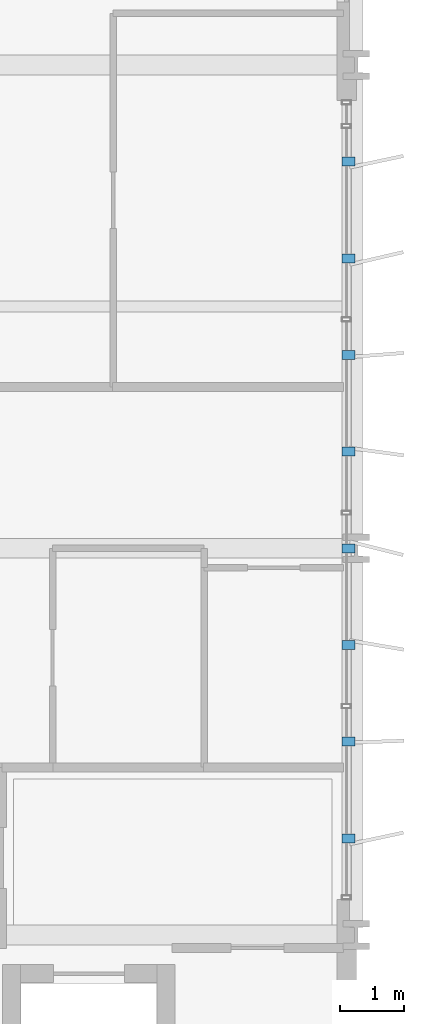
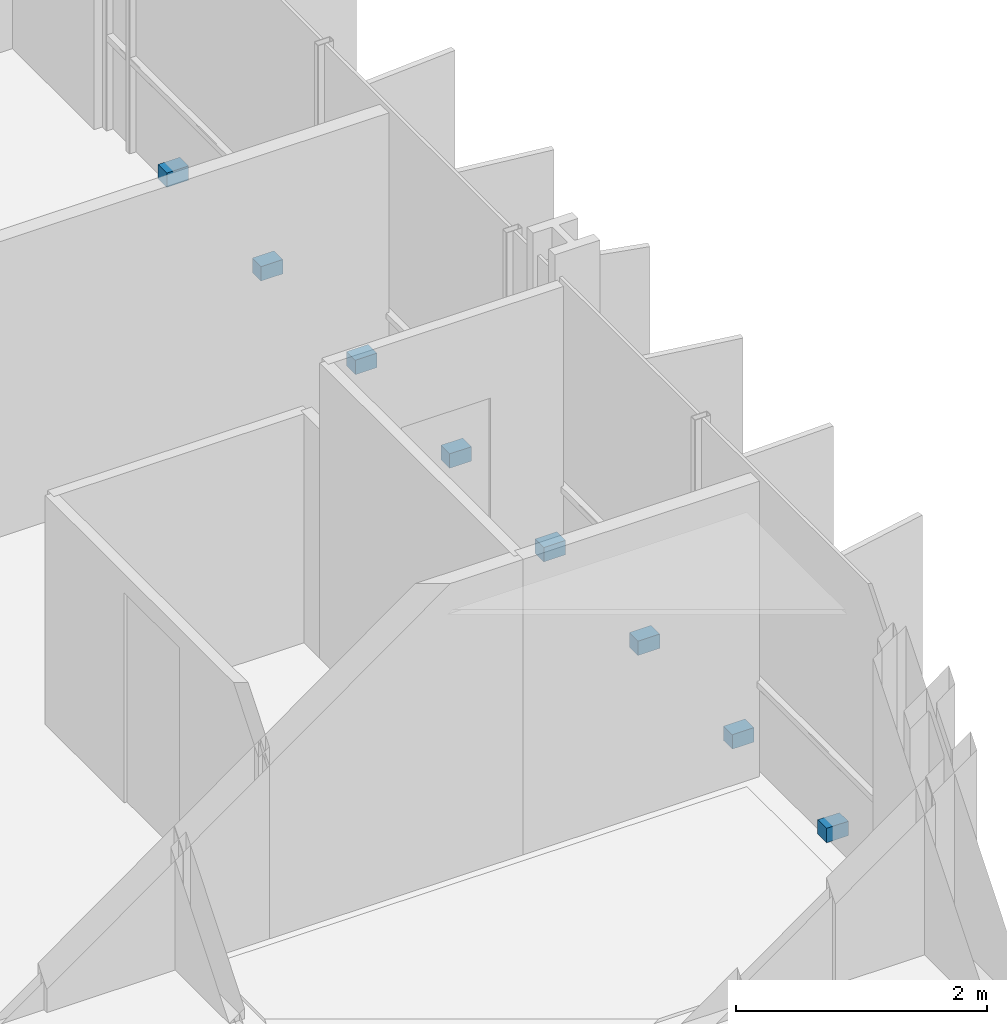
# One storey, part 34 of 38: 8 discrete accessories.
"""IFC4 building model written with IfcOpenShell, lengths in metres."""

from ifc_helpers import new_model, si_unit, direction, frame, origin, origin_2d, place, context, subcontext, project, spatial, rectangle, extrude, material, type_object, element, save


model = new_model("IFC4")

# Units and contexts
model_context = context("Model", 3, precision=1e-05, world=origin(), true_north=direction((0.0, 1.0)))
body_context = subcontext(model_context, "Body", "Model", "MODEL_VIEW")
ifc_project = project(units=[si_unit("LENGTHUNIT", "METRE"), si_unit("AREAUNIT", "SQUARE_METRE"), si_unit("VOLUMEUNIT", "CUBIC_METRE"), si_unit("PLANEANGLEUNIT", "RADIAN"), si_unit("MASSUNIT", "GRAM", prefix="KILO")], contexts=[model_context])

# Site, building, storey
site_placement = place(None, origin())
site = spatial("IfcSite", under=ifc_project, at=site_placement, CompositionType="ELEMENT")
building_placement = place(site_placement, origin())
building = spatial("IfcBuilding", under=site, at=building_placement, Name="Brevholm Reach", CompositionType="ELEMENT")
storey_placement = place(building_placement, frame((0.0, 0.0, 52.800048828125)))
storey = spatial("IfcBuildingStorey", under=building, at=storey_placement, Name="L14", CompositionType="ELEMENT", Elevation=52.800048828125)

# Discrete accessories
ifc_material = material(Name="Duplex Stainless Steel EN 1.4462", Category="steel")
discrete_accessory_type = type_object("IfcDiscreteAccessoryType", Name="ACC-BRK-01", PredefinedType="BRACKET", material=ifc_material)
for number, where, z_axis, x_axis, name in (
    (1, (59.8798828125, 11.5, 0.02978515625), (0.0, 0.0, 1.0), (1.0, 0.0, 0.0), "L14 Solar Screen Support Bracket 1"),
    (2, (59.8798828125, 13.0, 0.02978515625), (0.0, 0.0, 1.0), (1.0, 0.0, 0.0), "L14 Solar Screen Support Bracket 2"),
    (3, (59.8798828125, 14.5, 0.02978515625), (0.0, 0.0, 1.0), (1.0, 0.0, 0.0), "L14 Solar Screen Support Bracket 3"),
    (4, (59.8798828125, 16.0, 0.02978515625), (0.0, 0.0, 1.0), (1.0, 0.0, 0.0), "L14 Solar Screen Support Bracket 4"),
    (5, (59.8798828125, 17.5, 0.02978515625), (0.0, 0.0, 1.0), (1.0, 0.0, 0.0), "L14 Solar Screen Support Bracket 5"),
    (6, (59.8798828125, 19.0, 0.02978515625), (0.0, 0.0, 1.0), (1.0, 0.0, 0.0), "L14 Solar Screen Support Bracket 6"),
    (7, (59.8798828125, 20.5, 0.02978515625), (0.0, 0.0, 1.0), (1.0, 0.0, 0.0), "L14 Solar Screen Support Bracket 7"),
    (8, (59.8798828125, 22.0, 0.02978515625), (0.0, 0.0, 1.0), (1.0, 0.0, 0.0), "L14 Solar Screen Support Bracket 8"),
):
    element("IfcDiscreteAccessory", number, at=place(storey_placement, frame(where, z_axis=z_axis, x_axis=x_axis)), inside=storey, type_object=discrete_accessory_type, Name=name, PredefinedType="BRACKET", context=body_context, shape_type="SweptSolid", body=[
        extrude(rectangle(XDim=0.199951171875, YDim=0.139892578125, at=origin_2d()), origin(), (0.0, 0.0, 1.0), 0.139892578125),
    ])

save(model, "model.ifc")
